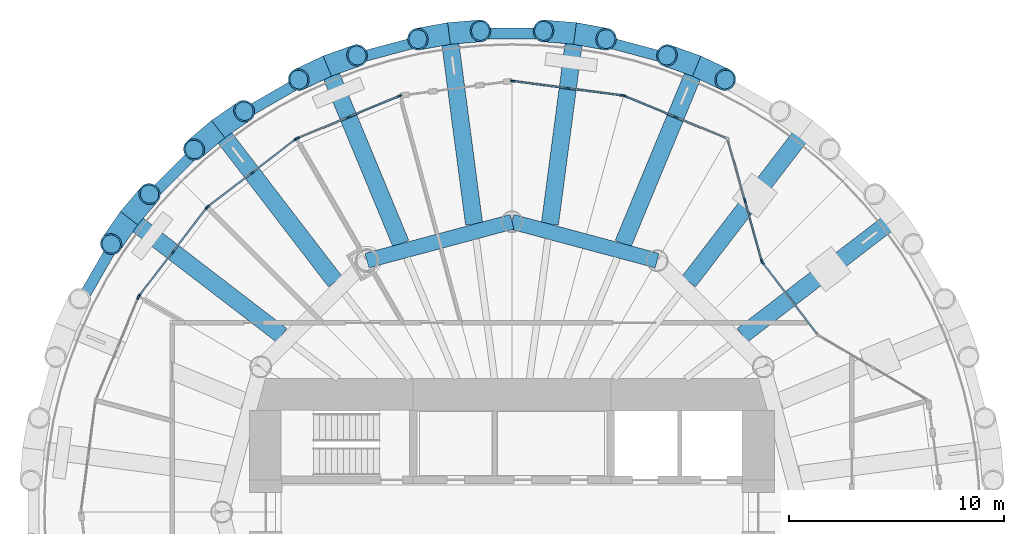
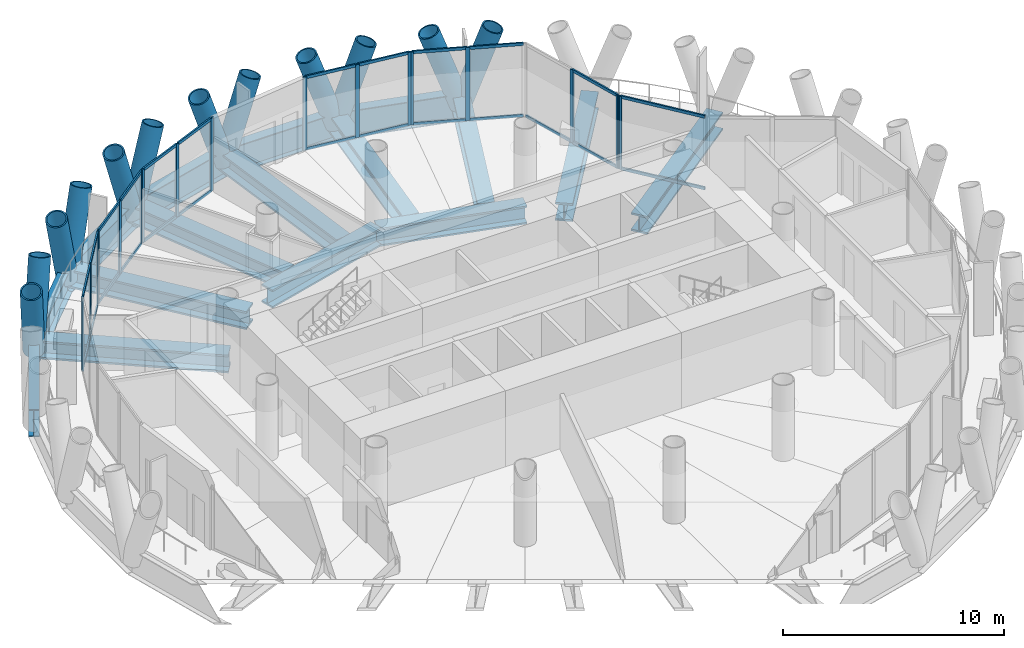
# One storey, part 5 of 14: 55 members, 16 beams, 8 elements without a shape of their own.
"""IFC4 building model written with IfcOpenShell, lengths in metres."""

import ifcopenshell
import ifcopenshell.guid

model = None  # the IFC model being written
_history = None  # IfcOwnerHistory: only IFC2X3 demands one
_inside = {}  # id of a spatial element -> (the spatial element, [elements in it])
_under = {}  # id of a project, library or spatial element -> (it, [spatial elements below it])
_declared = {}  # id of a project -> (the project, [libraries it declares])
_typed = {}  # id of a type object -> (the type object, [elements of that type])
_made_of = {}  # id of a material, layer set ... -> (it, [elements and type objects made of it])


def new_model(schema):
    """Start an empty IFC model of exactly this schema.

    Asked for "IFC4X3", IfcOpenShell would pick the latest addendum, in which some entities
    have other attributes; the version numbers below select the first issue.
    IFC2X3 requires an IfcOwnerHistory on every rooted entity: one is made here for all.
    """
    global model, _history
    if schema == "IFC4X3":
        model = ifcopenshell.file(schema_version=(4, 3, 0, 0))
    else:
        model = ifcopenshell.file(schema=schema)
    _inside.clear()
    _under.clear()
    _declared.clear()
    _typed.clear()
    _made_of.clear()
    _history = None
    if model.schema == "IFC2X3":
        org = make("IfcOrganization", Name="unknown")
        user = make(
            "IfcPersonAndOrganization",
            ThePerson=make("IfcPerson", FamilyName="unknown"),
            TheOrganization=org,
        )
        app = make(
            "IfcApplication",
            ApplicationDeveloper=org,
            Version="unknown",
            ApplicationFullName="unknown",
            ApplicationIdentifier="unknown",
        )
        _history = make(
            "IfcOwnerHistory",
            OwningUser=user,
            OwningApplication=app,
            ChangeAction="ADDED",
            CreationDate=0,
        )
    return model


def make(cls, **values):
    """One entity of the class cls with the attributes given. An attribute that is None is left unset."""
    return model.create_entity(
        cls, **{name: value for name, value in values.items() if value is not None}
    )


def rooted(cls, **values):
    """An entity with a GlobalId (a new one), such as an element, a storey or a relation."""
    return make(cls, GlobalId=ifcopenshell.guid.new(), OwnerHistory=_history, **values)


def si_unit(unit_type, name, prefix=None):
    """IfcSIUnit, for example si_unit("LENGTHUNIT", "METRE", prefix="MILLI")."""
    return make("IfcSIUnit", UnitType=unit_type, Prefix=prefix, Name=name)


def assignment(units):
    """IfcUnitAssignment: the units of a project."""
    return None if units is None else make("IfcUnitAssignment", Units=units)


def point(xyz):
    """IfcCartesianPoint."""
    return None if xyz is None else make("IfcCartesianPoint", Coordinates=xyz)


def direction(xyz):
    """IfcDirection."""
    return None if xyz is None else make("IfcDirection", DirectionRatios=xyz)


def frame(location, z_axis=None, x_axis=None):
    """IfcAxis2Placement3D, a coordinate frame: its origin and axes. An axis left out is left unset."""
    return make(
        "IfcAxis2Placement3D",
        Location=point(location),
        Axis=direction(z_axis),
        RefDirection=direction(x_axis),
    )


def frame_2d(location, x_axis=None):
    """IfcAxis2Placement2D, a coordinate frame in the plane: its origin and x axis."""
    return make(
        "IfcAxis2Placement2D", Location=point(location), RefDirection=direction(x_axis)
    )


def origin():
    """The frame at (0, 0, 0) with its axes left unset."""
    return frame((0.0, 0.0, 0.0))


def origin_2d():
    """The frame at (0, 0) in the plane with its x axis left unset."""
    return frame_2d((0.0, 0.0))


def place(relative_to, where):
    """IfcLocalPlacement: puts the frame where relative to a parent placement (None: the world)."""
    return make(
        "IfcLocalPlacement", PlacementRelTo=relative_to, RelativePlacement=where
    )


def context(
    kind, dimensions, precision=None, world=None, true_north=None, identifier=None
):
    """IfcGeometricRepresentationContext, for example the 3D "Model" context."""
    return make(
        "IfcGeometricRepresentationContext",
        ContextIdentifier=identifier,
        ContextType=kind,
        CoordinateSpaceDimension=dimensions,
        Precision=precision,
        WorldCoordinateSystem=world,
        TrueNorth=true_north,
    )


def subcontext(parent, identifier, kind, view, scale=None):
    """IfcGeometricRepresentationSubContext, for example "Body" below "Model"."""
    return make(
        "IfcGeometricRepresentationSubContext",
        ContextIdentifier=identifier,
        ContextType=kind,
        ParentContext=parent,
        TargetScale=scale,
        TargetView=view,
    )


def project(units=None, contexts=None):
    """IfcProject with its units and contexts."""
    return rooted(
        "IfcProject",
        Name="project",
        RepresentationContexts=contexts,
        UnitsInContext=assignment(units),
    )


def spatial(cls, under=None, at=None, **own):
    """A site, building, storey or space (cls), placed at a placement, below another one or the project."""
    s = rooted(cls, ObjectPlacement=at, **own)
    if under is not None:
        _under.setdefault(under.id(), (under, []))[1].append(s)
    return s


def profile(cls, at=None, kind="AREA", **sizes):
    """A parametric profile (cls). Its sizes go by their IFC names, for example OverallWidth=200.0."""
    return make(cls, ProfileType=kind, Position=at, **sizes)


def rectangle(**sizes):
    """IfcRectangleProfileDef."""
    return profile("IfcRectangleProfileDef", **sizes)


def hollow_circle(**sizes):
    """IfcCircleHollowProfileDef."""
    return profile("IfcCircleHollowProfileDef", **sizes)


def i_section(**sizes):
    """IfcIShapeProfileDef."""
    return profile("IfcIShapeProfileDef", **sizes)


def extrude(swept, where, along, depth):
    """IfcExtrudedAreaSolid: the profile swept, set in the frame where, extruded along a direction by depth."""
    return make(
        "IfcExtrudedAreaSolid",
        SweptArea=swept,
        Position=where,
        ExtrudedDirection=direction(along),
        Depth=depth,
    )


def shape(context_of_items, identifier, shape_type, items):
    """IfcShapeRepresentation: the items that make up one representation, for example the "Body"."""
    return make(
        "IfcShapeRepresentation",
        ContextOfItems=context_of_items,
        RepresentationIdentifier=identifier,
        RepresentationType=shape_type,
        Items=items,
    )


def material(Name=None, Category=None):
    """IfcMaterial."""
    return make("IfcMaterial", Name=Name, Category=Category)


def material_profile(
    of_material, cross_section, Name=None, Category=None, Priority=None
):
    """IfcMaterialProfile: a cross section and its material."""
    return make(
        "IfcMaterialProfile",
        Name=Name,
        Material=of_material,
        Profile=cross_section,
        Priority=Priority,
        Category=Category,
    )


def profile_set(profiles, Name=None, composite=None):
    """IfcMaterialProfileSet."""
    return make(
        "IfcMaterialProfileSet",
        Name=Name,
        MaterialProfiles=profiles,
        CompositeProfile=composite,
    )


def made_of(thing, what):
    """Note that an element or type object is made of a material, layer set ...; save() writes the relation."""
    if what is not None:
        _made_of.setdefault(what.id(), (what, []))[1].append(thing)
    return thing


def type_object(cls, material=None, **own):
    """A type object (cls), such as IfcWallType, which elements share."""
    return made_of(rooted(cls, **own), material)


def element(
    cls,
    number,
    at=None,
    inside=None,
    cuts=None,
    type_object=None,
    material=None,
    context=None,
    identifier="Body",
    shape_type=None,
    held_by="IfcProductDefinitionShape",
    body=None,
    shapes=None,
    **own,
):
    """One element of the class cls, such as IfcWall. Its Tag is "e" and its number.

    at: its placement. inside: the storey or other place that contains it. cuts: it is an
    opening in that element (IfcRelVoidsElement). A single representation is given by context,
    identifier, shape_type and body (its items); several are given by shapes. held_by: the class
    of the entity that holds the representations. save() writes the other relations.
    """
    e = rooted(cls, Tag="e%d" % number, ObjectPlacement=at, **own)
    if body is not None:
        shapes = [shape(context, identifier, shape_type, body)]
    if shapes is not None:
        e.Representation = make(held_by, Representations=shapes)
    if inside is not None:
        _inside.setdefault(inside.id(), (inside, []))[1].append(e)
    if cuts is not None:
        rooted(
            "IfcRelVoidsElement", RelatingBuildingElement=cuts, RelatedOpeningElement=e
        )
    if type_object is not None:
        _typed.setdefault(type_object.id(), (type_object, []))[1].append(e)
    return made_of(e, material)


def aggregate(whole, parts):
    """IfcRelAggregates: a whole, such as a stair, and the parts it consists of."""
    return rooted("IfcRelAggregates", RelatingObject=whole, RelatedObjects=parts)


def save(model, path):
    """Write the relations noted so far, then the file.

    IfcRelAggregates (storeys below a building ...), IfcRelContainedInSpatialStructure (elements
    in a storey), IfcRelDefinesByType, IfcRelAssociatesMaterial and IfcRelDeclares: one each for
    every whole, place, type object, material and project.
    """
    for whole, parts in _under.values():
        aggregate(whole, parts)
    for where, things in _inside.values():
        rooted(
            "IfcRelContainedInSpatialStructure",
            RelatedElements=things,
            RelatingStructure=where,
        )
    for kind, things in _typed.values():
        rooted("IfcRelDefinesByType", RelatedObjects=things, RelatingType=kind)
    for what, things in _made_of.values():
        rooted("IfcRelAssociatesMaterial", RelatedObjects=things, RelatingMaterial=what)
    for by, libraries in _declared.values():
        rooted("IfcRelDeclares", RelatingContext=by, RelatedDefinitions=libraries)
    model.write(path)


model = new_model("IFC4")

# Units and contexts
model_context = context("Model", 3, precision=1e-05, world=origin(), true_north=direction((0.0, 1.0)))
body_context = subcontext(model_context, "Body", "Model", "MODEL_VIEW")
ifc_project = project(units=[si_unit("LENGTHUNIT", "METRE"), si_unit("AREAUNIT", "SQUARE_METRE"), si_unit("VOLUMEUNIT", "CUBIC_METRE"), si_unit("PLANEANGLEUNIT", "RADIAN"), si_unit("MASSUNIT", "GRAM", prefix="KILO")], contexts=[model_context])

# Site, building, storey
site_placement = place(None, origin())
site = spatial("IfcSite", under=ifc_project, at=site_placement, CompositionType="ELEMENT")
building_placement = place(site_placement, origin())
building = spatial("IfcBuilding", under=site, at=building_placement, Name="Qaws Media Tower", CompositionType="ELEMENT")
storey_placement = place(building_placement, frame((0.0, 0.0, 236.0)))
storey = spatial("IfcBuildingStorey", under=building, at=storey_placement, Name="L54", CompositionType="ELEMENT", Elevation=236.0)

# Curtain wall, member
ifc_material_1 = material(Name="Aluminium and clear glass", Category="aluminium")
curtain_wall_type_1 = type_object("IfcCurtainWallType", Name="Loggia curtain wall CW-G", PredefinedType="NOTDEFINED", material=ifc_material_1)
curtain_wall_1_placement = place(storey_placement, origin())
curtain_wall_1 = element("IfcCurtainWall", 1, at=curtain_wall_1_placement, inside=storey, type_object=curtain_wall_type_1, Name="CWG curtain wall L54-03", PredefinedType="NOTDEFINED")
ifc_material_2 = material(Name="Aluminium mullion", Category="aluminium")
ifc_material_profile_1 = material_profile(ifc_material_2, rectangle(XDim=0.080078125, YDim=0.199951171875, at=origin_2d()), Name="80x200")
ifc_profile_set_1 = profile_set([ifc_material_profile_1], Name="Aluminium mullion")
member_type_1 = type_object("IfcMemberType", Name="Curtain wall mullion 80x200", PredefinedType="MULLION", material=ifc_profile_set_1)
member_1_placement = place(storey_placement, frame((71.65625, 61.60009765625, 0.0), z_axis=(0.0, 0.0, 1.0), x_axis=(-0.793353417513, -0.608761328371, 0.0)))
member_1 = element("IfcMember", 2, at=member_1_placement, type_object=member_type_1, Name="CWG mullion 2", PredefinedType="MULLION", context=body_context, shape_type="SweptSolid", body=[
    extrude(rectangle(XDim=0.080078125, YDim=0.199951171875, at=origin_2d()), origin(), (0.0, 0.0, 1.0), 4.0400390625),
])

# Curtain wall, members
curtain_wall_2_placement = place(storey_placement, origin())
curtain_wall_2 = element("IfcCurtainWall", 3, at=curtain_wall_2_placement, inside=storey, type_object=curtain_wall_type_1, Name="CWG curtain wall L54-04", PredefinedType="NOTDEFINED")
member_2_placement = place(storey_placement, frame((71.62109375, 61.67041015625, 0.0), z_axis=(0.0, 0.0, 1.0), x_axis=(-0.962877852476, -0.269937476483, 0.0)))
member_2 = element("IfcMember", 4, at=member_2_placement, type_object=member_type_1, Name="CWG mullion 1", PredefinedType="MULLION", context=body_context, shape_type="SweptSolid", body=[
    extrude(rectangle(XDim=0.080078125, YDim=0.199951171875, at=origin_2d()), origin(), (0.0, 0.0, 1.0), 4.0400390625),
])
member_3_placement = place(storey_placement, frame((70.828369140625, 64.497802734375, 0.0), z_axis=(0.0, 0.0, 1.0), x_axis=(-0.962877852476, -0.269937476483, 0.0)))
member_3 = element("IfcMember", 5, at=member_3_placement, type_object=member_type_1, Name="CWG mullion 2", PredefinedType="MULLION", context=body_context, shape_type="SweptSolid", body=[
    extrude(rectangle(XDim=0.080078125, YDim=0.199951171875, at=origin_2d()), origin(), (0.0, 0.0, 1.0), 4.0400390625),
])

ifc_material_3 = material(Name="Aluminium and clear glass", Category="aluminium")
curtain_wall_type_2 = type_object("IfcCurtainWallType", Name="Unitised curtain wall CW-C", PredefinedType="NOTDEFINED", material=ifc_material_3)
curtain_wall_3_placement = place(storey_placement, origin())
curtain_wall_3 = element("IfcCurtainWall", 6, at=curtain_wall_3_placement, inside=storey, type_object=curtain_wall_type_2, Name="CWC curtain wall L54-05", PredefinedType="NOTDEFINED")
member_4_placement = place(storey_placement, frame((67.607177734375, 68.365234375, 0.0), z_axis=(0.0, 0.0, 1.0), x_axis=(-0.382683528436, -0.923879492717, 0.0)))
member_4 = element("IfcMember", 7, at=member_4_placement, type_object=member_type_1, Name="CWC mullion 2", PredefinedType="MULLION", context=body_context, shape_type="SweptSolid", body=[
    extrude(rectangle(XDim=0.080078125, YDim=0.199951171875, at=origin_2d()), origin(), (0.0, 0.0, 1.0), 4.0400390625),
])
member_5_placement = place(storey_placement, frame((65.226318359375, 69.3515625, 0.0), z_axis=(0.0, 0.0, 1.0), x_axis=(-0.382683528436, -0.923879492717, 0.0)))
member_5 = element("IfcMember", 8, at=member_5_placement, type_object=member_type_1, Name="CWC mullion 3", PredefinedType="MULLION", context=body_context, shape_type="SweptSolid", body=[
    extrude(rectangle(XDim=0.080078125, YDim=0.199951171875, at=origin_2d()), origin(), (0.0, 0.0, 1.0), 4.0400390625),
])

curtain_wall_4_placement = place(storey_placement, origin())
curtain_wall_4 = element("IfcCurtainWall", 9, at=curtain_wall_4_placement, inside=storey, type_object=curtain_wall_type_2, Name="CWC curtain wall L54-06", PredefinedType="NOTDEFINED")
member_6_placement = place(storey_placement, frame((65.149658203125, 69.3720703125, 0.0), z_axis=(0.0, 0.0, 1.0), x_axis=(-0.130526154272, -0.99144486637, 0.0)))
member_6 = element("IfcMember", 10, at=member_6_placement, type_object=member_type_1, Name="CWC mullion 1", PredefinedType="MULLION", context=body_context, shape_type="SweptSolid", body=[
    extrude(rectangle(XDim=0.080078125, YDim=0.199951171875, at=origin_2d()), origin(), (0.0, 0.0, 1.0), 4.0400390625),
])
member_7_placement = place(storey_placement, frame((62.5947265625, 69.70849609375, 0.0), z_axis=(0.0, 0.0, 1.0), x_axis=(-0.130526154272, -0.99144486637, 0.0)))
member_7 = element("IfcMember", 11, at=member_7_placement, type_object=member_type_1, Name="CWC mullion 2", PredefinedType="MULLION", context=body_context, shape_type="SweptSolid", body=[
    extrude(rectangle(XDim=0.080078125, YDim=0.199951171875, at=origin_2d()), origin(), (0.0, 0.0, 1.0), 4.0400390625),
])
member_8_placement = place(storey_placement, frame((60.03955078125, 70.044677734375, 0.0), z_axis=(0.0, 0.0, 1.0), x_axis=(-0.130526154272, -0.99144486637, 0.0)))
member_8 = element("IfcMember", 12, at=member_8_placement, type_object=member_type_1, Name="CWC mullion 3", PredefinedType="MULLION", context=body_context, shape_type="SweptSolid", body=[
    extrude(rectangle(XDim=0.080078125, YDim=0.199951171875, at=origin_2d()), origin(), (0.0, 0.0, 1.0), 4.0400390625),
])

curtain_wall_5_placement = place(storey_placement, origin())
curtain_wall_5 = element("IfcCurtainWall", 13, at=curtain_wall_5_placement, inside=storey, type_object=curtain_wall_type_2, Name="CWC curtain wall L54-08", PredefinedType="NOTDEFINED")
member_9_placement = place(storey_placement, frame((54.773681640625, 69.3515625, 0.0), z_axis=(0.0, 0.0, 1.0), x_axis=(0.382683528436, -0.923879492717, 0.0)))
member_9 = element("IfcMember", 14, at=member_9_placement, type_object=member_type_1, Name="CWC mullion 1", PredefinedType="MULLION", context=body_context, shape_type="SweptSolid", body=[
    extrude(rectangle(XDim=0.080078125, YDim=0.199951171875, at=origin_2d()), origin(), (0.0, 0.0, 1.0), 4.0400390625),
])
member_10_placement = place(storey_placement, frame((52.392822265625, 68.365234375, 0.0), z_axis=(0.0, 0.0, 1.0), x_axis=(0.382683528436, -0.923879492717, 0.0)))
member_10 = element("IfcMember", 15, at=member_10_placement, type_object=member_type_1, Name="CWC mullion 2", PredefinedType="MULLION", context=body_context, shape_type="SweptSolid", body=[
    extrude(rectangle(XDim=0.080078125, YDim=0.199951171875, at=origin_2d()), origin(), (0.0, 0.0, 1.0), 4.0400390625),
])
member_11_placement = place(storey_placement, frame((50.011962890625, 67.379150390625, 0.0), z_axis=(0.0, 0.0, 1.0), x_axis=(0.382683528436, -0.923879492717, 0.0)))
member_11 = element("IfcMember", 16, at=member_11_placement, type_object=member_type_1, Name="CWC mullion 3", PredefinedType="MULLION", context=body_context, shape_type="SweptSolid", body=[
    extrude(rectangle(XDim=0.080078125, YDim=0.199951171875, at=origin_2d()), origin(), (0.0, 0.0, 1.0), 4.0400390625),
])

curtain_wall_6_placement = place(storey_placement, origin())
curtain_wall_6 = element("IfcCurtainWall", 17, at=curtain_wall_6_placement, inside=storey, type_object=curtain_wall_type_2, Name="CWC curtain wall L54-09", PredefinedType="NOTDEFINED")
member_12_placement = place(storey_placement, frame((49.943359375, 67.33935546875, 0.0), z_axis=(0.0, 0.0, 1.0), x_axis=(0.608761379507, -0.793353378275, 0.0)))
member_12 = element("IfcMember", 18, at=member_12_placement, type_object=member_type_1, Name="CWC mullion 1", PredefinedType="MULLION", context=body_context, shape_type="SweptSolid", body=[
    extrude(rectangle(XDim=0.080078125, YDim=0.199951171875, at=origin_2d()), origin(), (0.0, 0.0, 1.0), 4.0400390625),
])
member_13_placement = place(storey_placement, frame((47.898681640625, 65.770751953125, 0.0), z_axis=(0.0, 0.0, 1.0), x_axis=(0.608761379507, -0.793353378275, 0.0)))
member_13 = element("IfcMember", 19, at=member_13_placement, type_object=member_type_1, Name="CWC mullion 2", PredefinedType="MULLION", context=body_context, shape_type="SweptSolid", body=[
    extrude(rectangle(XDim=0.080078125, YDim=0.199951171875, at=origin_2d()), origin(), (0.0, 0.0, 1.0), 4.0400390625),
])
member_14_placement = place(storey_placement, frame((45.854248046875, 64.201904296875, 0.0), z_axis=(0.0, 0.0, 1.0), x_axis=(0.608761379507, -0.793353378275, 0.0)))
member_14 = element("IfcMember", 20, at=member_14_placement, type_object=member_type_1, Name="CWC mullion 3", PredefinedType="MULLION", context=body_context, shape_type="SweptSolid", body=[
    extrude(rectangle(XDim=0.080078125, YDim=0.199951171875, at=origin_2d()), origin(), (0.0, 0.0, 1.0), 4.0400390625),
])

curtain_wall_7_placement = place(storey_placement, origin())
curtain_wall_7 = element("IfcCurtainWall", 21, at=curtain_wall_7_placement, inside=storey, type_object=curtain_wall_type_2, Name="CWC curtain wall L54-10", PredefinedType="NOTDEFINED")
member_15_placement = place(storey_placement, frame((45.798095703125, 64.145751953125, 0.0), z_axis=(0.0, 0.0, 1.0), x_axis=(0.793353378275, -0.608761379507, 0.0)))
member_15 = element("IfcMember", 22, at=member_15_placement, type_object=member_type_1, Name="CWC mullion 1", PredefinedType="MULLION", context=body_context, shape_type="SweptSolid", body=[
    extrude(rectangle(XDim=0.080078125, YDim=0.199951171875, at=origin_2d()), origin(), (0.0, 0.0, 1.0), 4.0400390625),
])
member_16_placement = place(storey_placement, frame((44.229248046875, 62.101318359375, 0.0), z_axis=(0.0, 0.0, 1.0), x_axis=(0.793353378275, -0.608761379507, 0.0)))
member_16 = element("IfcMember", 23, at=member_16_placement, type_object=member_type_1, Name="CWC mullion 2", PredefinedType="MULLION", context=body_context, shape_type="SweptSolid", body=[
    extrude(rectangle(XDim=0.080078125, YDim=0.199951171875, at=origin_2d()), origin(), (0.0, 0.0, 1.0), 4.0400390625),
])
member_17_placement = place(storey_placement, frame((42.66064453125, 60.056640625, 0.0), z_axis=(0.0, 0.0, 1.0), x_axis=(0.793353378275, -0.608761379507, 0.0)))
member_17 = element("IfcMember", 24, at=member_17_placement, type_object=member_type_1, Name="CWC mullion 3", PredefinedType="MULLION", context=body_context, shape_type="SweptSolid", body=[
    extrude(rectangle(XDim=0.080078125, YDim=0.199951171875, at=origin_2d()), origin(), (0.0, 0.0, 1.0), 4.0400390625),
])

# Curtain wall, member
curtain_wall_8_placement = place(storey_placement, origin())
curtain_wall_8 = element("IfcCurtainWall", 25, at=curtain_wall_8_placement, inside=storey, type_object=curtain_wall_type_2, Name="CWC curtain wall L54-11", PredefinedType="NOTDEFINED")
member_18_placement = place(storey_placement, frame((42.620849609375, 59.988037109375, 0.0), z_axis=(0.0, 0.0, 1.0), x_axis=(0.923879492717, -0.382683528436, 0.0)))
member_18 = element("IfcMember", 26, at=member_18_placement, type_object=member_type_1, Name="CWC mullion 1", PredefinedType="MULLION", context=body_context, shape_type="SweptSolid", body=[
    extrude(rectangle(XDim=0.080078125, YDim=0.199951171875, at=origin_2d()), origin(), (0.0, 0.0, 1.0), 4.0400390625),
])
aggregate(curtain_wall_8, [member_18])

# Member
ifc_material_4 = material(Name="Aluminium transom", Category="aluminium")
ifc_material_profile_2 = material_profile(ifc_material_4, rectangle(XDim=0.080078125, YDim=0.159912109375, at=origin_2d()), Name="80x160")
ifc_profile_set_2 = profile_set([ifc_material_profile_2], Name="Aluminium transom")
member_type_2 = type_object("IfcMemberType", Name="Curtain wall transom 80x160", PredefinedType="USERDEFINED", material=ifc_profile_set_2)
member_19_placement = place(storey_placement, frame((74.197509765625, 58.28857421875, 0.0400390625), z_axis=(-0.608788534052, 0.793332541124, 0.0), x_axis=(-0.793332541124, -0.608788534052, 0.0)))
member_19 = element("IfcMember", 27, at=member_19_placement, type_object=member_type_2, Name="CWG transom 1.1", ObjectType="TRANSOM", PredefinedType="USERDEFINED", context=body_context, shape_type="SweptSolid", body=[
    extrude(rectangle(XDim=0.080078125, YDim=0.159912109375, at=origin_2d()), origin(), (0.0, 0.0, 1.0), 4.13427734375),
])

member_20_placement = place(storey_placement, frame((74.197509765625, 58.28857421875, 4.0), z_axis=(-0.608788534052, 0.793332541124, 0.0), x_axis=(-0.793332541124, -0.608788534052, 0.0)))
member_20 = element("IfcMember", 28, at=member_20_placement, type_object=member_type_2, Name="CWG transom 1.2", ObjectType="TRANSOM", PredefinedType="USERDEFINED", context=body_context, shape_type="SweptSolid", body=[
    extrude(rectangle(XDim=0.080078125, YDim=0.159912109375, at=origin_2d()), origin(), (0.0, 0.0, 1.0), 4.13427734375),
])

aggregate(curtain_wall_1, [member_1, member_19, member_20])

member_21_placement = place(storey_placement, frame((71.6103515625, 61.708984375, 0.0400390625), z_axis=(-0.269931105089, 0.962879638639, 0.0), x_axis=(-0.962879638639, -0.269931105089, 0.0)))
member_21 = element("IfcMember", 29, at=member_21_placement, type_object=member_type_2, Name="CWG transom 1.1", ObjectType="TRANSOM", PredefinedType="USERDEFINED", context=body_context, shape_type="SweptSolid", body=[
    extrude(rectangle(XDim=0.080078125, YDim=0.159912109375, at=origin_2d()), origin(), (0.0, 0.0, 1.0), 2.856201171875),
])

member_22_placement = place(storey_placement, frame((71.6103515625, 61.708984375, 4.0), z_axis=(-0.269931105089, 0.962879638639, 0.0), x_axis=(-0.962879638639, -0.269931105089, 0.0)))
member_22 = element("IfcMember", 30, at=member_22_placement, type_object=member_type_2, Name="CWG transom 1.2", ObjectType="TRANSOM", PredefinedType="USERDEFINED", context=body_context, shape_type="SweptSolid", body=[
    extrude(rectangle(XDim=0.080078125, YDim=0.159912109375, at=origin_2d()), origin(), (0.0, 0.0, 1.0), 2.856201171875),
])

member_23_placement = place(storey_placement, frame((70.817626953125, 64.536376953125, 0.0400390625), z_axis=(-0.269908890851, 0.962885865843, 0.0), x_axis=(-0.962885865843, -0.269908890851, 0.0)))
member_23 = element("IfcMember", 31, at=member_23_placement, type_object=member_type_2, Name="CWG transom 2.1", ObjectType="TRANSOM", PredefinedType="USERDEFINED", context=body_context, shape_type="SweptSolid", body=[
    extrude(rectangle(XDim=0.080078125, YDim=0.159912109375, at=origin_2d()), origin(), (0.0, 0.0, 1.0), 2.8564453125),
])

aggregate(curtain_wall_2, [member_2, member_3, member_21, member_22, member_23])

member_24_placement = place(storey_placement, frame((69.951171875, 67.39453125, 0.0400390625), z_axis=(-0.923890529664, 0.38265688181, 0.0), x_axis=(-0.38265688181, -0.923890529664, 0.0)))
member_24 = element("IfcMember", 32, at=member_24_placement, type_object=member_type_2, Name="CWC transom 1.1", ObjectType="TRANSOM", PredefinedType="USERDEFINED", context=body_context, shape_type="SweptSolid", body=[
    extrude(rectangle(XDim=0.080078125, YDim=0.159912109375, at=origin_2d()), origin(), (0.0, 0.0, 1.0), 2.4970703125),
])

member_25_placement = place(storey_placement, frame((69.951171875, 67.39453125, 4.0), z_axis=(-0.923890529664, 0.38265688181, 0.0), x_axis=(-0.38265688181, -0.923890529664, 0.0)))
member_25 = element("IfcMember", 33, at=member_25_placement, type_object=member_type_2, Name="CWC transom 1.2", ObjectType="TRANSOM", PredefinedType="USERDEFINED", context=body_context, shape_type="SweptSolid", body=[
    extrude(rectangle(XDim=0.080078125, YDim=0.159912109375, at=origin_2d()), origin(), (0.0, 0.0, 1.0), 2.4970703125),
])

member_26_placement = place(storey_placement, frame((67.5703125, 68.380615234375, 0.0400390625), z_axis=(-0.923890529664, 0.38265688181, 0.0), x_axis=(-0.38265688181, -0.923890529664, 0.0)))
member_26 = element("IfcMember", 34, at=member_26_placement, type_object=member_type_2, Name="CWC transom 2.1", ObjectType="TRANSOM", PredefinedType="USERDEFINED", context=body_context, shape_type="SweptSolid", body=[
    extrude(rectangle(XDim=0.080078125, YDim=0.159912109375, at=origin_2d()), origin(), (0.0, 0.0, 1.0), 2.4970703125),
])

member_27_placement = place(storey_placement, frame((67.5703125, 68.380615234375, 4.0), z_axis=(-0.923890529664, 0.38265688181, 0.0), x_axis=(-0.38265688181, -0.923890529664, 0.0)))
member_27 = element("IfcMember", 35, at=member_27_placement, type_object=member_type_2, Name="CWC transom 2.2", ObjectType="TRANSOM", PredefinedType="USERDEFINED", context=body_context, shape_type="SweptSolid", body=[
    extrude(rectangle(XDim=0.080078125, YDim=0.159912109375, at=origin_2d()), origin(), (0.0, 0.0, 1.0), 2.4970703125),
])

aggregate(curtain_wall_3, [member_4, member_5, member_24, member_25, member_26, member_27])

member_28_placement = place(storey_placement, frame((65.110107421875, 69.377197265625, 0.0400390625), z_axis=(-0.991445974424, 0.130517737487, 0.0), x_axis=(-0.130517737487, -0.991445974424, 0.0)))
member_28 = element("IfcMember", 36, at=member_28_placement, type_object=member_type_2, Name="CWC transom 1.1", ObjectType="TRANSOM", PredefinedType="USERDEFINED", context=body_context, shape_type="SweptSolid", body=[
    extrude(rectangle(XDim=0.080078125, YDim=0.159912109375, at=origin_2d()), origin(), (0.0, 0.0, 1.0), 2.4970703125),
])

member_29_placement = place(storey_placement, frame((65.110107421875, 69.377197265625, 4.0), z_axis=(-0.991445974424, 0.130517737487, 0.0), x_axis=(-0.130517737487, -0.991445974424, 0.0)))
member_29 = element("IfcMember", 37, at=member_29_placement, type_object=member_type_2, Name="CWC transom 1.2", ObjectType="TRANSOM", PredefinedType="USERDEFINED", context=body_context, shape_type="SweptSolid", body=[
    extrude(rectangle(XDim=0.080078125, YDim=0.159912109375, at=origin_2d()), origin(), (0.0, 0.0, 1.0), 2.4970703125),
])

member_30_placement = place(storey_placement, frame((62.554931640625, 69.713623046875, 0.0400390625), z_axis=(-0.991444308748, 0.130530389761, 0.0), x_axis=(-0.130530389761, -0.991444308748, 0.0)))
member_30 = element("IfcMember", 38, at=member_30_placement, type_object=member_type_2, Name="CWC transom 2.1", ObjectType="TRANSOM", PredefinedType="USERDEFINED", context=body_context, shape_type="SweptSolid", body=[
    extrude(rectangle(XDim=0.080078125, YDim=0.159912109375, at=origin_2d()), origin(), (0.0, 0.0, 1.0), 2.4970703125),
])

member_31_placement = place(storey_placement, frame((62.554931640625, 69.713623046875, 4.0), z_axis=(-0.991444308748, 0.130530389761, 0.0), x_axis=(-0.130530389761, -0.991444308748, 0.0)))
member_31 = element("IfcMember", 39, at=member_31_placement, type_object=member_type_2, Name="CWC transom 2.2", ObjectType="TRANSOM", PredefinedType="USERDEFINED", context=body_context, shape_type="SweptSolid", body=[
    extrude(rectangle(XDim=0.080078125, YDim=0.159912109375, at=origin_2d()), origin(), (0.0, 0.0, 1.0), 2.4970703125),
])

aggregate(curtain_wall_4, [member_6, member_7, member_8, member_28, member_29, member_30, member_31])

member_32_placement = place(storey_placement, frame((54.73681640625, 69.336181640625, 0.0400390625), z_axis=(-0.923890529664, -0.38265688181, 0.0), x_axis=(0.38265688181, -0.923890529664, 0.0)))
member_32 = element("IfcMember", 40, at=member_32_placement, type_object=member_type_2, Name="CWC transom 1.1", ObjectType="TRANSOM", PredefinedType="USERDEFINED", context=body_context, shape_type="SweptSolid", body=[
    extrude(rectangle(XDim=0.080078125, YDim=0.159912109375, at=origin_2d()), origin(), (0.0, 0.0, 1.0), 2.4970703125),
])

member_33_placement = place(storey_placement, frame((54.73681640625, 69.336181640625, 4.0), z_axis=(-0.923890529664, -0.38265688181, 0.0), x_axis=(0.38265688181, -0.923890529664, 0.0)))
member_33 = element("IfcMember", 41, at=member_33_placement, type_object=member_type_2, Name="CWC transom 1.2", ObjectType="TRANSOM", PredefinedType="USERDEFINED", context=body_context, shape_type="SweptSolid", body=[
    extrude(rectangle(XDim=0.080078125, YDim=0.159912109375, at=origin_2d()), origin(), (0.0, 0.0, 1.0), 2.4970703125),
])

member_34_placement = place(storey_placement, frame((52.35595703125, 68.35009765625, 0.0400390625), z_axis=(-0.923890529664, -0.38265688181, 0.0), x_axis=(0.38265688181, -0.923890529664, 0.0)))
member_34 = element("IfcMember", 42, at=member_34_placement, type_object=member_type_2, Name="CWC transom 2.1", ObjectType="TRANSOM", PredefinedType="USERDEFINED", context=body_context, shape_type="SweptSolid", body=[
    extrude(rectangle(XDim=0.080078125, YDim=0.159912109375, at=origin_2d()), origin(), (0.0, 0.0, 1.0), 2.4970703125),
])

member_35_placement = place(storey_placement, frame((52.35595703125, 68.35009765625, 4.0), z_axis=(-0.923890529664, -0.38265688181, 0.0), x_axis=(0.38265688181, -0.923890529664, 0.0)))
member_35 = element("IfcMember", 43, at=member_35_placement, type_object=member_type_2, Name="CWC transom 2.2", ObjectType="TRANSOM", PredefinedType="USERDEFINED", context=body_context, shape_type="SweptSolid", body=[
    extrude(rectangle(XDim=0.080078125, YDim=0.159912109375, at=origin_2d()), origin(), (0.0, 0.0, 1.0), 2.4970703125),
])

aggregate(curtain_wall_5, [member_9, member_10, member_11, member_32, member_33, member_34, member_35])

member_36_placement = place(storey_placement, frame((49.91162109375, 67.315185546875, 0.0400390625), z_axis=(-0.793346659546, -0.608770135427, 0.0), x_axis=(0.608770135427, -0.793346659546, 0.0)))
member_36 = element("IfcMember", 44, at=member_36_placement, type_object=member_type_2, Name="CWC transom 1.1", ObjectType="TRANSOM", PredefinedType="USERDEFINED", context=body_context, shape_type="SweptSolid", body=[
    extrude(rectangle(XDim=0.080078125, YDim=0.159912109375, at=origin_2d()), origin(), (0.0, 0.0, 1.0), 2.497314453125),
])

member_37_placement = place(storey_placement, frame((49.91162109375, 67.315185546875, 4.0), z_axis=(-0.793346659546, -0.608770135427, 0.0), x_axis=(0.608770135427, -0.793346659546, 0.0)))
member_37 = element("IfcMember", 45, at=member_37_placement, type_object=member_type_2, Name="CWC transom 1.2", ObjectType="TRANSOM", PredefinedType="USERDEFINED", context=body_context, shape_type="SweptSolid", body=[
    extrude(rectangle(XDim=0.080078125, YDim=0.159912109375, at=origin_2d()), origin(), (0.0, 0.0, 1.0), 2.497314453125),
])

member_38_placement = place(storey_placement, frame((47.866943359375, 65.746337890625, 0.0400390625), z_axis=(-0.793310424261, -0.608817354187, 0.0), x_axis=(0.608817354187, -0.793310424261, 0.0)))
member_38 = element("IfcMember", 46, at=member_38_placement, type_object=member_type_2, Name="CWC transom 2.1", ObjectType="TRANSOM", PredefinedType="USERDEFINED", context=body_context, shape_type="SweptSolid", body=[
    extrude(rectangle(XDim=0.080078125, YDim=0.159912109375, at=origin_2d()), origin(), (0.0, 0.0, 1.0), 2.4970703125),
])

member_39_placement = place(storey_placement, frame((47.866943359375, 65.746337890625, 4.0), z_axis=(-0.793310424261, -0.608817354187, 0.0), x_axis=(0.608817354187, -0.793310424261, 0.0)))
member_39 = element("IfcMember", 47, at=member_39_placement, type_object=member_type_2, Name="CWC transom 2.2", ObjectType="TRANSOM", PredefinedType="USERDEFINED", context=body_context, shape_type="SweptSolid", body=[
    extrude(rectangle(XDim=0.080078125, YDim=0.159912109375, at=origin_2d()), origin(), (0.0, 0.0, 1.0), 2.4970703125),
])

aggregate(curtain_wall_6, [member_12, member_13, member_14, member_36, member_37, member_38, member_39])

member_40_placement = place(storey_placement, frame((45.77392578125, 64.114013671875, 0.0400390625), z_axis=(-0.608817354187, -0.793310424261, 0.0), x_axis=(0.793310424261, -0.608817354187, 0.0)))
member_40 = element("IfcMember", 48, at=member_40_placement, type_object=member_type_2, Name="CWC transom 1.1", ObjectType="TRANSOM", PredefinedType="USERDEFINED", context=body_context, shape_type="SweptSolid", body=[
    extrude(rectangle(XDim=0.080078125, YDim=0.159912109375, at=origin_2d()), origin(), (0.0, 0.0, 1.0), 2.4970703125),
])

member_41_placement = place(storey_placement, frame((45.77392578125, 64.114013671875, 4.0), z_axis=(-0.608817354187, -0.793310424261, 0.0), x_axis=(0.793310424261, -0.608817354187, 0.0)))
member_41 = element("IfcMember", 49, at=member_41_placement, type_object=member_type_2, Name="CWC transom 1.2", ObjectType="TRANSOM", PredefinedType="USERDEFINED", context=body_context, shape_type="SweptSolid", body=[
    extrude(rectangle(XDim=0.080078125, YDim=0.159912109375, at=origin_2d()), origin(), (0.0, 0.0, 1.0), 2.4970703125),
])

member_42_placement = place(storey_placement, frame((44.205078125, 62.069580078125, 0.0400390625), z_axis=(-0.608770135427, -0.793346659546, 0.0), x_axis=(0.793346659546, -0.608770135427, 0.0)))
member_42 = element("IfcMember", 50, at=member_42_placement, type_object=member_type_2, Name="CWC transom 2.1", ObjectType="TRANSOM", PredefinedType="USERDEFINED", context=body_context, shape_type="SweptSolid", body=[
    extrude(rectangle(XDim=0.080078125, YDim=0.159912109375, at=origin_2d()), origin(), (0.0, 0.0, 1.0), 2.497314453125),
])

member_43_placement = place(storey_placement, frame((44.205078125, 62.069580078125, 4.0), z_axis=(-0.608770135427, -0.793346659546, 0.0), x_axis=(0.793346659546, -0.608770135427, 0.0)))
member_43 = element("IfcMember", 51, at=member_43_placement, type_object=member_type_2, Name="CWC transom 2.2", ObjectType="TRANSOM", PredefinedType="USERDEFINED", context=body_context, shape_type="SweptSolid", body=[
    extrude(rectangle(XDim=0.080078125, YDim=0.159912109375, at=origin_2d()), origin(), (0.0, 0.0, 1.0), 2.497314453125),
])

aggregate(curtain_wall_7, [member_15, member_16, member_17, member_40, member_41, member_42, member_43])

# Members
ifc_material_5 = material(Name="Steel S460", Category="steel")
ifc_material_profile_3 = material_profile(ifc_material_5, hollow_circle(Radius=0.508056640625, WallThickness=0.070068359375, at=origin_2d()), Name="CHS 1016x70")
ifc_profile_set_3 = profile_set([ifc_material_profile_3], Name="Steel S460")
member_type_3 = type_object("IfcMemberType", Name="Diagrid member CHS 1016x70", PredefinedType="USERDEFINED", material=ifc_profile_set_3)
for number, where, z_axis, x_axis, name in (
    (52, (68.59130859375, 70.7412109375, -0.909912109375), (-0.310849260058, 0.110950962725, 0.943961133412), (-0.336157352537, -0.941805836856, 0.0), "DG3 diagrid L54 A05"),
    (53, (68.59130859375, 70.7412109375, -0.909912109375), (0.298231287993, -0.14135120476, 0.943969245142), (0.428293598043, 0.903639637176, 0.0), "DG3 diagrid L54 B05"),
    (54, (62.930419921875, 72.258056640625, -0.909912109375), (-0.329007657627, 0.026722269724, 0.943949088417), (-0.080954232526, -0.996717819765, 0.0), "DG3 diagrid L54 A06"),
    (55, (62.930419921875, 72.258056640625, -0.909912109375), (0.324677591868, -0.05931662613, 0.943962922579), (0.179719298086, 0.983717934113, 0.0), "DG3 diagrid L54 B06"),
    (56, (57.069580078125, 72.258056640625, -0.909912109375), (-0.324677591868, -0.05931662613, 0.943962922579), (0.179719298086, -0.983717934113, 0.0), "DG3 diagrid L54 A07"),
    (57, (57.069580078125, 72.258056640625, -0.909912109375), (0.329007657627, 0.026722269724, 0.943949088417), (-0.080954232526, 0.996717819765, 0.0), "DG3 diagrid L54 B07"),
    (58, (51.40869140625, 70.7412109375, -0.909912109375), (-0.298231287993, -0.14135120476, 0.943969245142), (0.428293598043, -0.903639637176, 0.0), "DG3 diagrid L54 A08"),
    (59, (51.40869140625, 70.7412109375, -0.909912109375), (0.310849260058, 0.110950962725, 0.943961133412), (-0.336157352537, 0.941805836856, 0.0), "DG3 diagrid L54 B08"),
    (60, (46.333251953125, 67.810791015625, -0.909912109375), (-0.251534418971, -0.213672562713, 0.943967410463), (0.647416736065, -0.762136188527, 0.0), "DG3 diagrid L54 A09"),
    (61, (46.333251953125, 67.810791015625, -0.909912109375), (0.271506770556, 0.187662319179, 0.943963414282), (-0.568587362176, 0.822622885394, 0.0), "DG3 diagrid L54 B09"),
    (62, (42.189208984375, 63.666748046875, -0.909912109375), (-0.187662319179, -0.271506770556, 0.943963414282), (0.822622885394, -0.568587362176, 0.0), "DG3 diagrid L54 A10"),
    (63, (42.189208984375, 63.666748046875, -0.909912109375), (0.213672562713, 0.251534418971, 0.943967410463), (-0.762136188527, 0.647416736065, 0.0), "DG3 diagrid L54 B10"),
):
    element("IfcMember", number, at=place(storey_placement, frame(where, z_axis=z_axis, x_axis=x_axis)), inside=storey, type_object=member_type_3, Name=name, ObjectType="DIAGRID", PredefinedType="USERDEFINED", context=body_context, shape_type="SweptSolid", body=[
        extrude(hollow_circle(Radius=0.508056640625, WallThickness=0.070068359375, at=origin_2d()), origin(), (0.0, 0.0, 1.0), 4.44921875),
    ])

# Beams
ifc_material_6 = material(Name="Steel S460", Category="steel")
ifc_material_profile_4 = material_profile(ifc_material_6, i_section(OverallWidth=0.5, OverallDepth=1.5, WebThickness=0.02001953125, FlangeThickness=0.0400390625, at=origin_2d()), Name="PG 1500x500")
ifc_profile_set_4 = profile_set([ifc_material_profile_4], Name="Steel S460")
beam_type_1 = type_object("IfcBeamType", Name="Edge ring beam PG 1500x500", PredefinedType="BEAM", material=ifc_profile_set_4)
beam_1_placement = place(storey_placement, frame((68.59130859375, 70.7412109375, -0.909912109375), z_axis=(-0.965925179804, 0.258821457805, 0.0), x_axis=(-0.258821457805, -0.965925179804, 0.0)))
element("IfcBeam", 64, at=beam_1_placement, inside=storey, type_object=beam_type_1, Name="RB4 edge ring beam L54-05", PredefinedType="BEAM", context=body_context, shape_type="SweptSolid", body=[
    extrude(i_section(OverallWidth=0.5, OverallDepth=1.5, WebThickness=0.02001953125, FlangeThickness=0.0400390625, at=origin_2d()), origin(), (0.0, 0.0, 1.0), 5.860595703125),
])
beam_2_placement = place(storey_placement, frame((62.930419921875, 72.258056640625, -0.909912109375), z_axis=(-1.0, 0.0, 0.0), x_axis=(0.0, -1.0, 0.0)))
element("IfcBeam", 65, at=beam_2_placement, inside=storey, type_object=beam_type_1, Name="RB4 edge ring beam L54-06", PredefinedType="BEAM", context=body_context, shape_type="SweptSolid", body=[
    extrude(i_section(OverallWidth=0.5, OverallDepth=1.5, WebThickness=0.02001953125, FlangeThickness=0.0400390625, at=origin_2d()), origin(), (0.0, 0.0, 1.0), 5.86083984375),
])
for number, where, z_axis, x_axis, name in (
    (66, (57.069580078125, 72.258056640625, -0.909912109375), (-0.965925179804, -0.258821457805, 0.0), (0.258821457805, -0.965925179804, 0.0), "RB4 edge ring beam L54-07"),
    (67, (51.40869140625, 70.7412109375, -0.909912109375), (-0.866017011316, -0.5000145359, 0.0), (0.5000145359, -0.866017011316, 0.0), "RB4 edge ring beam L54-08"),
    (68, (46.333251953125, 67.810791015625, -0.909912109375), (-0.707106781187, -0.707106781187, 0.0), (0.707106781187, -0.707106781187, 0.0), "RB4 edge ring beam L54-09"),
    (69, (42.189208984375, 63.666748046875, -0.909912109375), (-0.5000145359, -0.866017011316, 0.0), (0.866017011316, -0.5000145359, 0.0), "RB4 edge ring beam L54-10"),
):
    element("IfcBeam", number, at=place(storey_placement, frame(where, z_axis=z_axis, x_axis=x_axis)), inside=storey, type_object=beam_type_1, Name=name, PredefinedType="BEAM", context=body_context, shape_type="SweptSolid", body=[
        extrude(i_section(OverallWidth=0.5, OverallDepth=1.5, WebThickness=0.02001953125, FlangeThickness=0.0400390625, at=origin_2d()), origin(), (0.0, 0.0, 1.0), 5.860595703125),
    ])
ifc_material_7 = material(Name="Steel S460", Category="steel")
ifc_material_profile_5 = material_profile(ifc_material_7, i_section(OverallWidth=0.699951171875, OverallDepth=1.0, WebThickness=0.034912109375, FlangeThickness=0.090087890625, at=origin_2d()), Name="PG 1000x700")
ifc_profile_set_5 = profile_set([ifc_material_profile_5], Name="Steel S460")
beam_type_2 = type_object("IfcBeamType", Name="Inner ring girder PG 1000x700", PredefinedType="BEAM", material=ifc_profile_set_5)
for number, where, z_axis, x_axis, name in (
    (70, (66.75, 61.69140625, -0.659912109375), (-0.965928090778, 0.258810593767, 0.0), (-0.258810593767, -0.965928090778, 0.0), "B3 inner ring beam L54 I03-I04"),
    (71, (60.0, 63.5, -0.659912109375), (-0.965928090778, -0.258810593767, 0.0), (0.258810593767, -0.965928090778, 0.0), "B3 inner ring beam L54 I04-I05"),
):
    element("IfcBeam", number, at=place(storey_placement, frame(where, z_axis=z_axis, x_axis=x_axis)), inside=storey, type_object=beam_type_2, Name=name, PredefinedType="BEAM", context=body_context, shape_type="SweptSolid", body=[
        extrude(i_section(OverallWidth=0.699951171875, OverallDepth=1.0, WebThickness=0.034912109375, FlangeThickness=0.090087890625, at=origin_2d()), origin(), (0.0, 0.0, 1.0), 6.988037109375),
    ])
ifc_material_8 = material(Name="Steel S460", Category="steel")
ifc_material_profile_6 = material_profile(ifc_material_8, i_section(OverallWidth=0.800048828125, OverallDepth=1.0, WebThickness=0.0400390625, FlangeThickness=0.10009765625, at=origin_2d()), Name="PG 1000x800")
ifc_profile_set_6 = profile_set([ifc_material_profile_6], Name="Steel S460")
beam_type_3 = type_object("IfcBeamType", Name="Radial girder PG 1000x800", PredefinedType="BEAM", material=ifc_profile_set_6)
for number, where, z_axis, x_axis, name in (
    (72, (70.714599609375, 58.2216796875, -0.659912109375), (0.793355004343, 0.608759260368, 0.0), (-0.608759260368, 0.793355004343, 0.0), "B1 radial beam L54 03"),
    (73, (68.2216796875, 60.714599609375, -0.659912109375), (0.608759260368, 0.793355004343, 0.0), (-0.793355004343, 0.608759260368, 0.0), "B1 radial beam L54 04"),
    (74, (65.16845703125, 62.4775390625, -0.659912109375), (0.382676427665, 0.923882433922, 0.0), (-0.923882433922, 0.382676427665, 0.0), "B1 radial beam L54 05"),
    (75, (61.762939453125, 63.389892578125, -0.659912109375), (0.130522293296, 0.991445374669, 0.0), (-0.991445374669, 0.130522293296, 0.0), "B1 radial beam L54 06"),
    (76, (58.237060546875, 63.389892578125, -0.659912109375), (-0.130522293296, 0.991445374669, 0.0), (-0.991445374669, -0.130522293296, 0.0), "B1 radial beam L54 07"),
    (77, (54.83154296875, 62.4775390625, -0.659912109375), (-0.382676427665, 0.923882433922, 0.0), (-0.923882433922, -0.382676427665, 0.0), "B1 radial beam L54 08"),
    (78, (51.7783203125, 60.714599609375, -0.659912109375), (-0.608759260368, 0.793355004343, 0.0), (-0.793355004343, -0.608759260368, 0.0), "B1 radial beam L54 09"),
    (79, (49.285400390625, 58.2216796875, -0.659912109375), (-0.793355004343, 0.608759260368, 0.0), (-0.608759260368, -0.793355004343, 0.0), "B1 radial beam L54 10"),
):
    element("IfcBeam", number, at=place(storey_placement, frame(where, z_axis=z_axis, x_axis=x_axis)), inside=storey, type_object=beam_type_3, Name=name, PredefinedType="BEAM", context=body_context, shape_type="SweptSolid", body=[
        extrude(i_section(OverallWidth=0.800048828125, OverallDepth=1.0, WebThickness=0.0400390625, FlangeThickness=0.10009765625, at=origin_2d()), origin(), (0.0, 0.0, 1.0), 8.944580078125),
    ])

save(model, "model.ifc")
